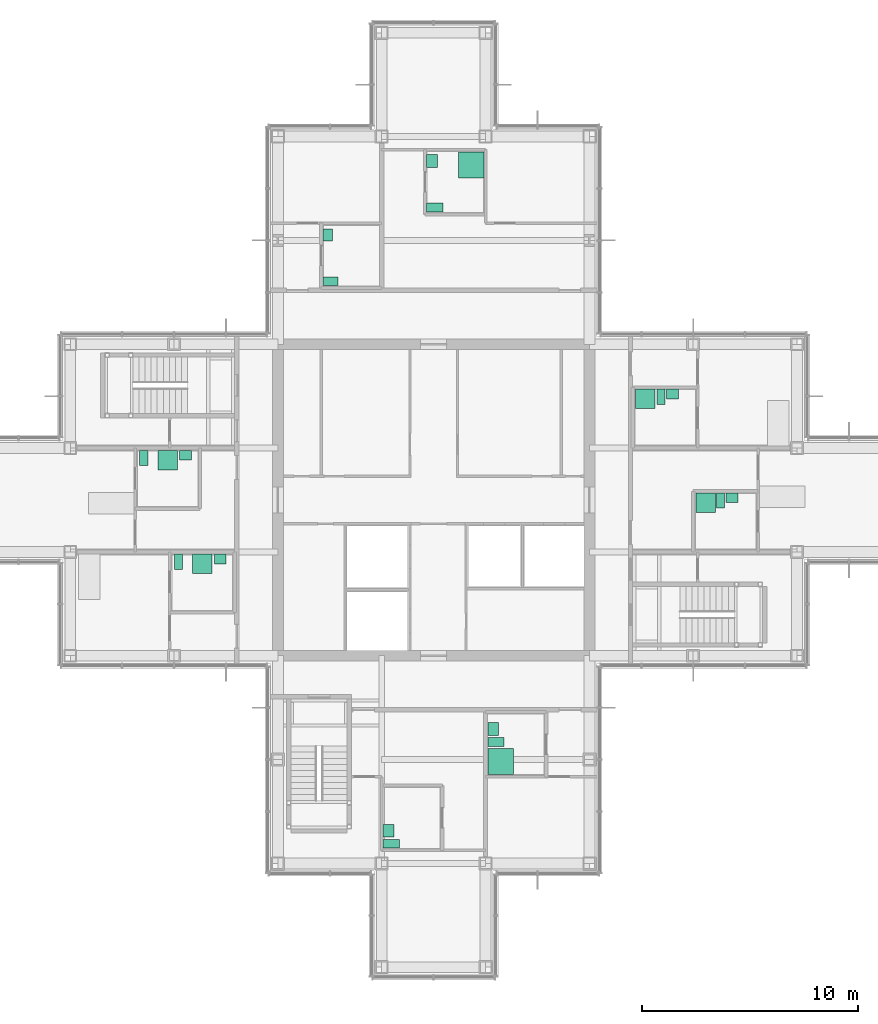
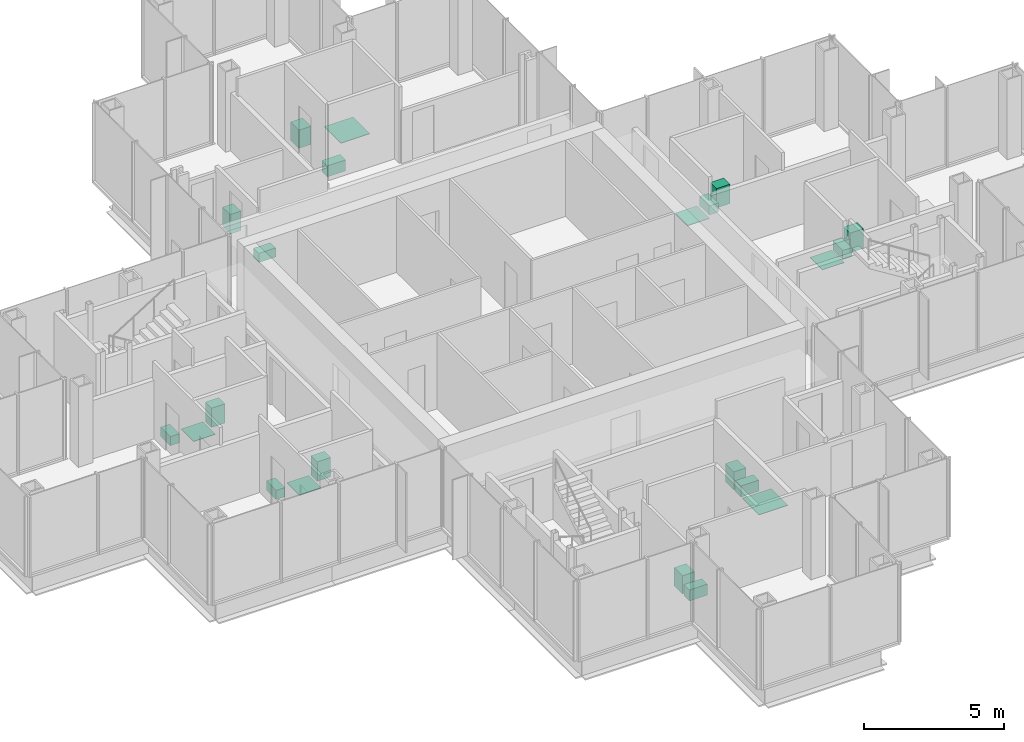
# One storey, part 16 of 17: 22 sanitary terminals.
"""IFC4 building model written with IfcOpenShell, lengths in metres."""

from ifc_helpers import new_model, si_unit, direction, frame, origin, origin_2d, place, context, subcontext, project, spatial, rectangle, extrude, material, type_object, element, save


model = new_model("IFC4")

# Units and contexts
model_context = context("Model", 3, precision=1e-05, world=origin(), true_north=direction((0.0, 1.0)))
body_context = subcontext(model_context, "Body", "Model", "MODEL_VIEW")
ifc_project = project(units=[si_unit("LENGTHUNIT", "METRE"), si_unit("AREAUNIT", "SQUARE_METRE"), si_unit("VOLUMEUNIT", "CUBIC_METRE"), si_unit("PLANEANGLEUNIT", "RADIAN"), si_unit("MASSUNIT", "GRAM", prefix="KILO")], contexts=[model_context])

# Site, building, storey
site_placement = place(None, origin())
site = spatial("IfcSite", under=ifc_project, at=site_placement, CompositionType="ELEMENT")
building_placement = place(site_placement, origin())
building = spatial("IfcBuilding", under=site, at=building_placement, Name="Kvirike Care Tower", CompositionType="ELEMENT")
storey_placement = place(building_placement, frame((0.0, 0.0, 169.0)))
storey = spatial("IfcBuildingStorey", under=building, at=storey_placement, Name="L46", CompositionType="ELEMENT", Elevation=169.0)

# Sanitary terminals
ifc_material_1 = material(Name="Vitreous china", Category="ceramic")
sanitary_terminal_type_1 = type_object("IfcSanitaryTerminalType", Name="ACCESSIBLE WASH BASIN 600 x 500", PredefinedType="WASHHANDBASIN", material=ifc_material_1)
for number, where, z_axis, x_axis, name in (
    (1, (19.511962890625, 20.7099609375, 0.02001953125), (0.0, 0.0, 1.0), (0.0, 1.0, 0.0), "Accessible wash basin L46-014"),
    (2, (24.35205078125, 25.409912109375, 0.02001953125), (0.0, 0.0, 1.0), (0.0, 1.0, 0.0), "Accessible wash basin L46-017"),
    (3, (21.527099609375, 51.675048828125, 0.02001953125), (0.0, 0.0, 1.0), (0.0, 1.0, 0.0), "Accessible wash basin L46-021"),
):
    element("IfcSanitaryTerminal", number, at=place(storey_placement, frame(where, z_axis=z_axis, x_axis=x_axis)), inside=storey, type_object=sanitary_terminal_type_1, Name=name, PredefinedType="WASHHANDBASIN", context=body_context, shape_type="SweptSolid", body=[
        extrude(rectangle(XDim=0.60009765625, YDim=0.5, at=origin_2d()), origin(), (0.0, 0.0, 1.0), 0.800048828125),
    ])
ifc_material_2 = material(Name="Vitreous china", Category="ceramic")
sanitary_terminal_type_2 = type_object("IfcSanitaryTerminalType", Name="ACCESSIBLE WC PAN 400 x 750", PredefinedType="TOILETPAN", material=ifc_material_2)
for number, where, z_axis, x_axis, name in (
    (4, (19.636962890625, 20.110107421875, 0.02001953125), (0.0, 0.0, 1.0), (0.0, 1.0, 0.0), "Accessible WC pan L46-014"),
    (5, (24.47705078125, 24.81005859375, 0.02001953125), (0.0, 0.0, 1.0), (0.0, 1.0, 0.0), "Accessible WC pan L46-017"),
    (6, (21.652099609375, 49.52490234375, 0.02001953125), (0.0, 0.0, 1.0), (0.0, 1.0, 0.0), "Accessible WC pan L46-021"),
):
    element("IfcSanitaryTerminal", number, at=place(storey_placement, frame(where, z_axis=z_axis, x_axis=x_axis)), inside=storey, type_object=sanitary_terminal_type_2, Name=name, PredefinedType="TOILETPAN", context=body_context, shape_type="SweptSolid", body=[
        extrude(rectangle(XDim=0.39990234375, YDim=0.75, at=origin_2d()), origin(), (0.0, 0.0, 1.0), 0.47998046875),
    ])
ifc_material_3 = material(Name="Stainless steel", Category="steel")
sanitary_terminal_type_3 = type_object("IfcSanitaryTerminalType", Name="LEVEL-ACCESS SHOWER 1200 x 1200", PredefinedType="SHOWER", material=ifc_material_3)
for number, where, z_axis, x_axis, name in (
    (7, (24.701904296875, 23.909912109375, 0.02001953125), (0.0, 0.0, 1.0), (0.0, 1.0, 0.0), "Level-access shower L46-017"),
    (8, (23.337890625, 51.489990234375, 0.02001953125), (0.0, 0.0, 1.0), (0.0, -1.0, 0.0), "Level-access shower L46-021"),
):
    element("IfcSanitaryTerminal", number, at=place(storey_placement, frame(where, z_axis=z_axis, x_axis=x_axis)), inside=storey, type_object=sanitary_terminal_type_3, Name=name, PredefinedType="SHOWER", context=body_context, shape_type="SweptSolid", body=[
        extrude(rectangle(XDim=1.199951171875, YDim=1.199951171875, at=origin_2d()), origin(), (0.0, 0.0, 1.0), 0.02001953125),
    ])
ifc_material_4 = material(Name="Stainless steel", Category="steel")
sanitary_terminal_type_4 = type_object("IfcSanitaryTerminalType", Name="LEVEL-ACCESS SHOWER 900 x 900", PredefinedType="SHOWER", material=ifc_material_4)
for number, where, z_axis, x_axis, name in (
    (9, (9.31005859375, 37.847900390625, 0.02001953125), (0.0, 0.0, 1.0), (1.0, 0.0, 0.0), "Level-access shower L46-006"),
    (10, (10.909912109375, 33.048095703125, 0.02001953125), (0.0, 0.0, 1.0), (1.0, 0.0, 0.0), "Level-access shower L46-009"),
    (11, (34.175048828125, 35.873046875, 0.02001953125), (0.0, 0.0, 1.0), (1.0, 0.0, 0.0), "Level-access shower L46-031"),
    (12, (31.375, 40.673095703125, 0.02001953125), (0.0, 0.0, 1.0), (1.0, 0.0, 0.0), "Level-access shower L46-034"),
):
    element("IfcSanitaryTerminal", number, at=place(storey_placement, frame(where, z_axis=z_axis, x_axis=x_axis)), inside=storey, type_object=sanitary_terminal_type_4, Name=name, PredefinedType="SHOWER", context=body_context, shape_type="SweptSolid", body=[
        extrude(rectangle(XDim=0.89990234375, YDim=0.89990234375, at=origin_2d()), origin(), (0.0, 0.0, 1.0), 0.02001953125),
    ])
ifc_material_5 = material(Name="Vitreous china", Category="ceramic")
sanitary_terminal_type_5 = type_object("IfcSanitaryTerminalType", Name="WASH BASIN 550 x 450", PredefinedType="WASHHANDBASIN", material=ifc_material_5)
for number, where, z_axis, x_axis, name in (
    (13, (10.135009765625, 38.072998046875, 0.02001953125), (0.0, 0.0, 1.0), (1.0, 0.0, 0.0), "Wash basin L46-006"),
    (14, (11.735107421875, 33.27294921875, 0.02001953125), (0.0, 0.0, 1.0), (1.0, 0.0, 0.0), "Wash basin L46-009"),
    (15, (16.701904296875, 48.25, 0.02001953125), (0.0, 0.0, 1.0), (0.0, 1.0, 0.0), "Wash basin L46-024"),
    (16, (35.39990234375, 36.097900390625, 0.02001953125), (0.0, 0.0, 1.0), (1.0, 0.0, 0.0), "Wash basin L46-031"),
    (17, (32.64990234375, 40.89794921875, 0.02001953125), (0.0, 0.0, 1.0), (1.0, 0.0, 0.0), "Wash basin L46-034"),
):
    element("IfcSanitaryTerminal", number, at=place(storey_placement, frame(where, z_axis=z_axis, x_axis=x_axis)), inside=storey, type_object=sanitary_terminal_type_5, Name=name, PredefinedType="WASHHANDBASIN", context=body_context, shape_type="SweptSolid", body=[
        extrude(rectangle(XDim=0.550048828125, YDim=0.449951171875, at=origin_2d()), origin(), (0.0, 0.0, 1.0), 0.85009765625),
    ])
ifc_material_6 = material(Name="Vitreous china", Category="ceramic")
sanitary_terminal_type_6 = type_object("IfcSanitaryTerminalType", Name="WC PAN 380 x 700", PredefinedType="TOILETPAN", material=ifc_material_6)
for number, where, z_axis, x_axis, name in (
    (18, (8.199951171875, 37.947998046875, 0.02001953125), (0.0, 0.0, 1.0), (1.0, 0.0, 0.0), "WC pan L46-006"),
    (19, (9.800048828125, 33.14794921875, 0.02001953125), (0.0, 0.0, 1.0), (1.0, 0.0, 0.0), "WC pan L46-009"),
    (20, (16.826904296875, 46.114990234375, 0.02001953125), (0.0, 0.0, 1.0), (0.0, 1.0, 0.0), "WC pan L46-024"),
    (21, (34.864990234375, 35.972900390625, 0.02001953125), (0.0, 0.0, 1.0), (1.0, 0.0, 0.0), "WC pan L46-031"),
    (22, (32.114990234375, 40.77294921875, 0.02001953125), (0.0, 0.0, 1.0), (1.0, 0.0, 0.0), "WC pan L46-034"),
):
    element("IfcSanitaryTerminal", number, at=place(storey_placement, frame(where, z_axis=z_axis, x_axis=x_axis)), inside=storey, type_object=sanitary_terminal_type_6, Name=name, PredefinedType="TOILETPAN", context=body_context, shape_type="SweptSolid", body=[
        extrude(rectangle(XDim=0.3798828125, YDim=0.699951171875, at=origin_2d()), origin(), (0.0, 0.0, 1.0), 0.39990234375),
    ])

save(model, "model.ifc")
